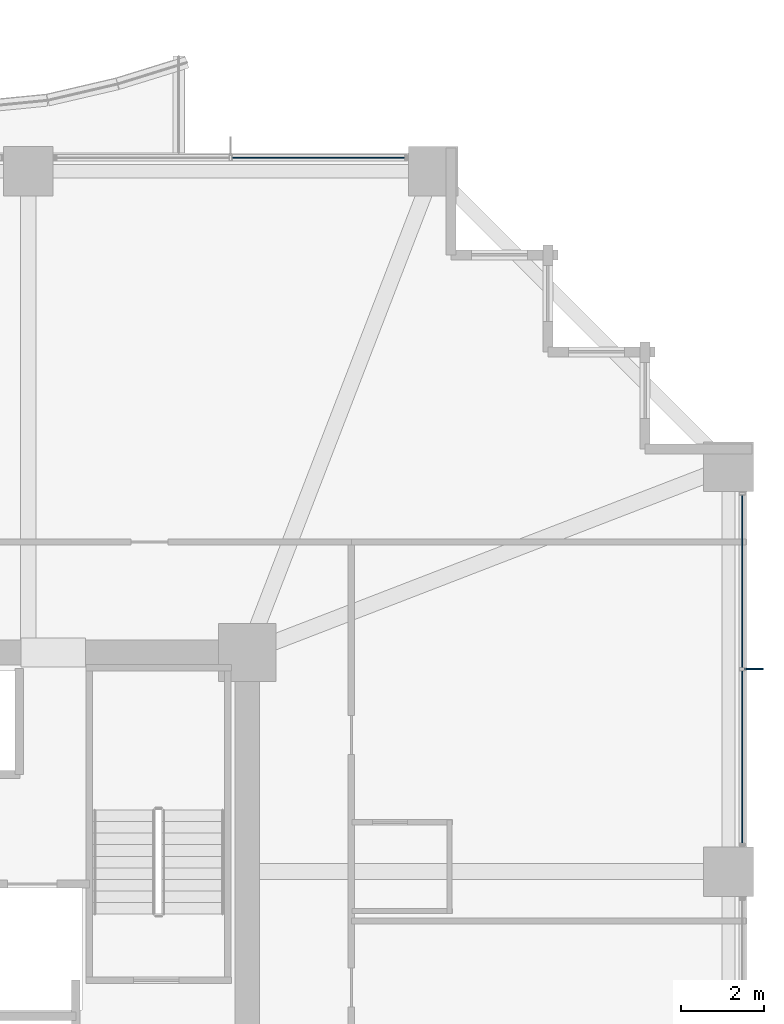
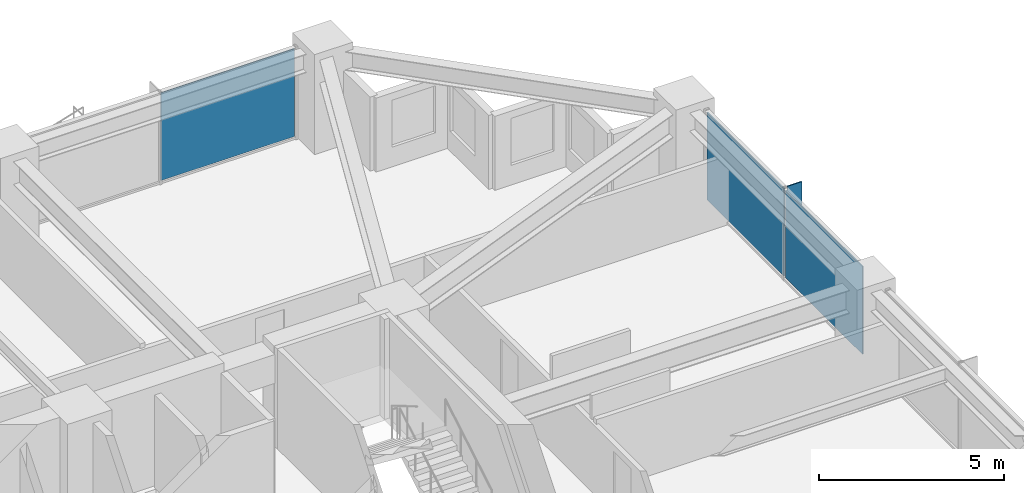
# One storey, part 31 of 38: 4 plates, 2 elements without a shape of their own.
"""IFC4 building model written with IfcOpenShell, lengths in metres."""

import ifcopenshell
import ifcopenshell.guid

model = None  # the IFC model being written
_history = None  # IfcOwnerHistory: only IFC2X3 demands one
_inside = {}  # id of a spatial element -> (the spatial element, [elements in it])
_under = {}  # id of a project, library or spatial element -> (it, [spatial elements below it])
_declared = {}  # id of a project -> (the project, [libraries it declares])
_typed = {}  # id of a type object -> (the type object, [elements of that type])
_made_of = {}  # id of a material, layer set ... -> (it, [elements and type objects made of it])


def new_model(schema):
    """Start an empty IFC model of exactly this schema.

    Asked for "IFC4X3", IfcOpenShell would pick the latest addendum, in which some entities
    have other attributes; the version numbers below select the first issue.
    IFC2X3 requires an IfcOwnerHistory on every rooted entity: one is made here for all.
    """
    global model, _history
    if schema == "IFC4X3":
        model = ifcopenshell.file(schema_version=(4, 3, 0, 0))
    else:
        model = ifcopenshell.file(schema=schema)
    _inside.clear()
    _under.clear()
    _declared.clear()
    _typed.clear()
    _made_of.clear()
    _history = None
    if model.schema == "IFC2X3":
        org = make("IfcOrganization", Name="unknown")
        user = make(
            "IfcPersonAndOrganization",
            ThePerson=make("IfcPerson", FamilyName="unknown"),
            TheOrganization=org,
        )
        app = make(
            "IfcApplication",
            ApplicationDeveloper=org,
            Version="unknown",
            ApplicationFullName="unknown",
            ApplicationIdentifier="unknown",
        )
        _history = make(
            "IfcOwnerHistory",
            OwningUser=user,
            OwningApplication=app,
            ChangeAction="ADDED",
            CreationDate=0,
        )
    return model


def make(cls, **values):
    """One entity of the class cls with the attributes given. An attribute that is None is left unset."""
    return model.create_entity(
        cls, **{name: value for name, value in values.items() if value is not None}
    )


def rooted(cls, **values):
    """An entity with a GlobalId (a new one), such as an element, a storey or a relation."""
    return make(cls, GlobalId=ifcopenshell.guid.new(), OwnerHistory=_history, **values)


def si_unit(unit_type, name, prefix=None):
    """IfcSIUnit, for example si_unit("LENGTHUNIT", "METRE", prefix="MILLI")."""
    return make("IfcSIUnit", UnitType=unit_type, Prefix=prefix, Name=name)


def assignment(units):
    """IfcUnitAssignment: the units of a project."""
    return None if units is None else make("IfcUnitAssignment", Units=units)


def point(xyz):
    """IfcCartesianPoint."""
    return None if xyz is None else make("IfcCartesianPoint", Coordinates=xyz)


def direction(xyz):
    """IfcDirection."""
    return None if xyz is None else make("IfcDirection", DirectionRatios=xyz)


def frame(location, z_axis=None, x_axis=None):
    """IfcAxis2Placement3D, a coordinate frame: its origin and axes. An axis left out is left unset."""
    return make(
        "IfcAxis2Placement3D",
        Location=point(location),
        Axis=direction(z_axis),
        RefDirection=direction(x_axis),
    )


def frame_2d(location, x_axis=None):
    """IfcAxis2Placement2D, a coordinate frame in the plane: its origin and x axis."""
    return make(
        "IfcAxis2Placement2D", Location=point(location), RefDirection=direction(x_axis)
    )


def origin():
    """The frame at (0, 0, 0) with its axes left unset."""
    return frame((0.0, 0.0, 0.0))


def origin_2d():
    """The frame at (0, 0) in the plane with its x axis left unset."""
    return frame_2d((0.0, 0.0))


def place(relative_to, where):
    """IfcLocalPlacement: puts the frame where relative to a parent placement (None: the world)."""
    return make(
        "IfcLocalPlacement", PlacementRelTo=relative_to, RelativePlacement=where
    )


def context(
    kind, dimensions, precision=None, world=None, true_north=None, identifier=None
):
    """IfcGeometricRepresentationContext, for example the 3D "Model" context."""
    return make(
        "IfcGeometricRepresentationContext",
        ContextIdentifier=identifier,
        ContextType=kind,
        CoordinateSpaceDimension=dimensions,
        Precision=precision,
        WorldCoordinateSystem=world,
        TrueNorth=true_north,
    )


def subcontext(parent, identifier, kind, view, scale=None):
    """IfcGeometricRepresentationSubContext, for example "Body" below "Model"."""
    return make(
        "IfcGeometricRepresentationSubContext",
        ContextIdentifier=identifier,
        ContextType=kind,
        ParentContext=parent,
        TargetScale=scale,
        TargetView=view,
    )


def project(units=None, contexts=None):
    """IfcProject with its units and contexts."""
    return rooted(
        "IfcProject",
        Name="project",
        RepresentationContexts=contexts,
        UnitsInContext=assignment(units),
    )


def spatial(cls, under=None, at=None, **own):
    """A site, building, storey or space (cls), placed at a placement, below another one or the project."""
    s = rooted(cls, ObjectPlacement=at, **own)
    if under is not None:
        _under.setdefault(under.id(), (under, []))[1].append(s)
    return s


def profile(cls, at=None, kind="AREA", **sizes):
    """A parametric profile (cls). Its sizes go by their IFC names, for example OverallWidth=200.0."""
    return make(cls, ProfileType=kind, Position=at, **sizes)


def rectangle(**sizes):
    """IfcRectangleProfileDef."""
    return profile("IfcRectangleProfileDef", **sizes)


def extrude(swept, where, along, depth):
    """IfcExtrudedAreaSolid: the profile swept, set in the frame where, extruded along a direction by depth."""
    return make(
        "IfcExtrudedAreaSolid",
        SweptArea=swept,
        Position=where,
        ExtrudedDirection=direction(along),
        Depth=depth,
    )


def shape(context_of_items, identifier, shape_type, items):
    """IfcShapeRepresentation: the items that make up one representation, for example the "Body"."""
    return make(
        "IfcShapeRepresentation",
        ContextOfItems=context_of_items,
        RepresentationIdentifier=identifier,
        RepresentationType=shape_type,
        Items=items,
    )


def material(Name=None, Category=None):
    """IfcMaterial."""
    return make("IfcMaterial", Name=Name, Category=Category)


def layer(
    of_material, thickness, ventilated=None, Name=None, Category=None, Priority=None
):
    """IfcMaterialLayer: one layer of a wall or slab, of a material (None: an air gap)."""
    return make(
        "IfcMaterialLayer",
        Material=of_material,
        LayerThickness=thickness,
        IsVentilated=ventilated,
        Name=Name,
        Category=Category,
        Priority=Priority,
    )


def layer_set(layers, Name=None):
    """IfcMaterialLayerSet."""
    return make("IfcMaterialLayerSet", MaterialLayers=layers, LayerSetName=Name)


def made_of(thing, what):
    """Note that an element or type object is made of a material, layer set ...; save() writes the relation."""
    if what is not None:
        _made_of.setdefault(what.id(), (what, []))[1].append(thing)
    return thing


def type_object(cls, material=None, **own):
    """A type object (cls), such as IfcWallType, which elements share."""
    return made_of(rooted(cls, **own), material)


def element(
    cls,
    number,
    at=None,
    inside=None,
    cuts=None,
    type_object=None,
    material=None,
    context=None,
    identifier="Body",
    shape_type=None,
    held_by="IfcProductDefinitionShape",
    body=None,
    shapes=None,
    **own,
):
    """One element of the class cls, such as IfcWall. Its Tag is "e" and its number.

    at: its placement. inside: the storey or other place that contains it. cuts: it is an
    opening in that element (IfcRelVoidsElement). A single representation is given by context,
    identifier, shape_type and body (its items); several are given by shapes. held_by: the class
    of the entity that holds the representations. save() writes the other relations.
    """
    e = rooted(cls, Tag="e%d" % number, ObjectPlacement=at, **own)
    if body is not None:
        shapes = [shape(context, identifier, shape_type, body)]
    if shapes is not None:
        e.Representation = make(held_by, Representations=shapes)
    if inside is not None:
        _inside.setdefault(inside.id(), (inside, []))[1].append(e)
    if cuts is not None:
        rooted(
            "IfcRelVoidsElement", RelatingBuildingElement=cuts, RelatedOpeningElement=e
        )
    if type_object is not None:
        _typed.setdefault(type_object.id(), (type_object, []))[1].append(e)
    return made_of(e, material)


def aggregate(whole, parts):
    """IfcRelAggregates: a whole, such as a stair, and the parts it consists of."""
    return rooted("IfcRelAggregates", RelatingObject=whole, RelatedObjects=parts)


def save(model, path):
    """Write the relations noted so far, then the file.

    IfcRelAggregates (storeys below a building ...), IfcRelContainedInSpatialStructure (elements
    in a storey), IfcRelDefinesByType, IfcRelAssociatesMaterial and IfcRelDeclares: one each for
    every whole, place, type object, material and project.
    """
    for whole, parts in _under.values():
        aggregate(whole, parts)
    for where, things in _inside.values():
        rooted(
            "IfcRelContainedInSpatialStructure",
            RelatedElements=things,
            RelatingStructure=where,
        )
    for kind, things in _typed.values():
        rooted("IfcRelDefinesByType", RelatedObjects=things, RelatingType=kind)
    for what, things in _made_of.values():
        rooted("IfcRelAssociatesMaterial", RelatedObjects=things, RelatingMaterial=what)
    for by, libraries in _declared.values():
        rooted("IfcRelDeclares", RelatingContext=by, RelatedDefinitions=libraries)
    model.write(path)


model = new_model("IFC4")

# Units and contexts
model_context = context("Model", 3, precision=1e-05, world=origin(), true_north=direction((0.0, 1.0)))
body_context = subcontext(model_context, "Body", "Model", "MODEL_VIEW")
ifc_project = project(units=[si_unit("LENGTHUNIT", "METRE"), si_unit("AREAUNIT", "SQUARE_METRE"), si_unit("VOLUMEUNIT", "CUBIC_METRE"), si_unit("PLANEANGLEUNIT", "RADIAN"), si_unit("MASSUNIT", "GRAM", prefix="KILO")], contexts=[model_context])

# Site, building, storey
site_placement = place(None, origin())
site = spatial("IfcSite", under=ifc_project, at=site_placement, CompositionType="ELEMENT")
building_placement = place(site_placement, origin())
building = spatial("IfcBuilding", under=site, at=building_placement, Name="Kolvaren Belvedere", CompositionType="ELEMENT")
storey_placement = place(building_placement, frame((0.0, 0.0, 27.10009765625)))
storey = spatial("IfcBuildingStorey", under=building, at=storey_placement, Name="L07", CompositionType="ELEMENT", Elevation=27.10009765625)

# Curtain wall, plates
ifc_material_1 = material(Name="Anodised pale-metal aluminium AA 6063-T6", Category="aluminium")
curtain_wall_type = type_object("IfcCurtainWallType", Name="CW-Z1-LOW", PredefinedType="NOTDEFINED", material=ifc_material_1)
curtain_wall_1_placement = place(storey_placement, origin())
curtain_wall_1 = element("IfcCurtainWall", 1, at=curtain_wall_1_placement, inside=storey, type_object=curtain_wall_type, Name="L07 Unitised Curtain Wall FCW-L07-E-B1", PredefinedType="NOTDEFINED")
ifc_material_2 = material(Name="Low-iron triple insulated glass", Category="glass")
ifc_layer_1 = layer(ifc_material_2, 0.028076171875)
ifc_layer_set_1 = layer_set([ifc_layer_1], Name="Low-iron triple insulated glass")
plate_type_1 = type_object("IfcPlateType", Name="CW-PNL-VIS28", PredefinedType="CURTAIN_PANEL", material=ifc_layer_set_1)
plate_1_placement = place(storey_placement, frame((21.8798828125, 11.62255859375, 0.079833984375), z_axis=(0.0, 0.0, 1.0), x_axis=(0.0, -1.0, 0.0)))
plate_1 = element("IfcPlate", 2, at=plate_1_placement, type_object=plate_type_1, Name="FCW-L07-E-B1 Vision Glazing Panel 1", PredefinedType="CURTAIN_PANEL", context=body_context, shape_type="SweptSolid", body=[
    extrude(rectangle(XDim=4.1650390625, YDim=0.028076171875, at=origin_2d()), origin(), (0.0, 0.0, 1.0), 2.89990234375),
])
plate_2_placement = place(storey_placement, frame((21.8798828125, 7.37744140625, 0.079833984375), z_axis=(0.0, 0.0, 1.0), x_axis=(0.0, -1.0, 0.0)))
plate_2 = element("IfcPlate", 3, at=plate_2_placement, type_object=plate_type_1, Name="FCW-L07-E-B1 Vision Glazing Panel 2", PredefinedType="CURTAIN_PANEL", context=body_context, shape_type="SweptSolid", body=[
    extrude(rectangle(XDim=4.1650390625, YDim=0.028076171875, at=origin_2d()), origin(), (0.0, 0.0, 1.0), 2.89990234375),
])
aggregate(curtain_wall_1, [plate_1, plate_2])

# Curtain wall, plate
curtain_wall_2_placement = place(storey_placement, origin())
curtain_wall_2 = element("IfcCurtainWall", 4, at=curtain_wall_2_placement, inside=storey, type_object=curtain_wall_type, Name="L07 Unitised Curtain Wall FCW-L07-N2-B2", PredefinedType="NOTDEFINED")
plate_3_placement = place(storey_placement, frame((11.62255859375, 21.8798828125, 0.079833984375), z_axis=(0.0, 0.0, 1.0), x_axis=(1.0, 0.0, 0.0)))
plate_3 = element("IfcPlate", 5, at=plate_3_placement, type_object=plate_type_1, Name="FCW-L07-N2-B2 Vision Glazing Panel 2", PredefinedType="CURTAIN_PANEL", context=body_context, shape_type="SweptSolid", body=[
    extrude(rectangle(XDim=4.1650390625, YDim=0.028076171875, at=origin_2d()), origin(), (0.0, 0.0, 1.0), 2.89990234375),
])
aggregate(curtain_wall_2, [plate_3])

# Plate
ifc_material_3 = material(Name="Anodised pale-metal aluminium AA 6063-T6", Category="aluminium")
ifc_layer_2 = layer(ifc_material_3, 0.0380859375)
ifc_layer_set_2 = layer_set([ifc_layer_2], Name="Anodised pale-metal aluminium AA 6063-T6")
plate_type_2 = type_object("IfcPlateType", Name="FIN-VERT-450", PredefinedType="USERDEFINED", material=ifc_layer_set_2)
plate_4_placement = place(storey_placement, frame((22.1650390625, 9.5, -0.000244140625), z_axis=(0.0, 0.0, 1.0), x_axis=(1.0, 0.0, 0.0)))
element("IfcPlate", 6, at=plate_4_placement, inside=storey, type_object=plate_type_2, Name="L07 Pale-Metal Vertical Shading Fin FCW-L07-E-B1-1", ObjectType="VERTICAL FIN", PredefinedType="USERDEFINED", context=body_context, shape_type="SweptSolid", body=[
    extrude(rectangle(XDim=0.449951171875, YDim=0.0380859375, at=origin_2d()), origin(), (0.0, 0.0, 1.0), 3.06005859375),
])

save(model, "model.ifc")
